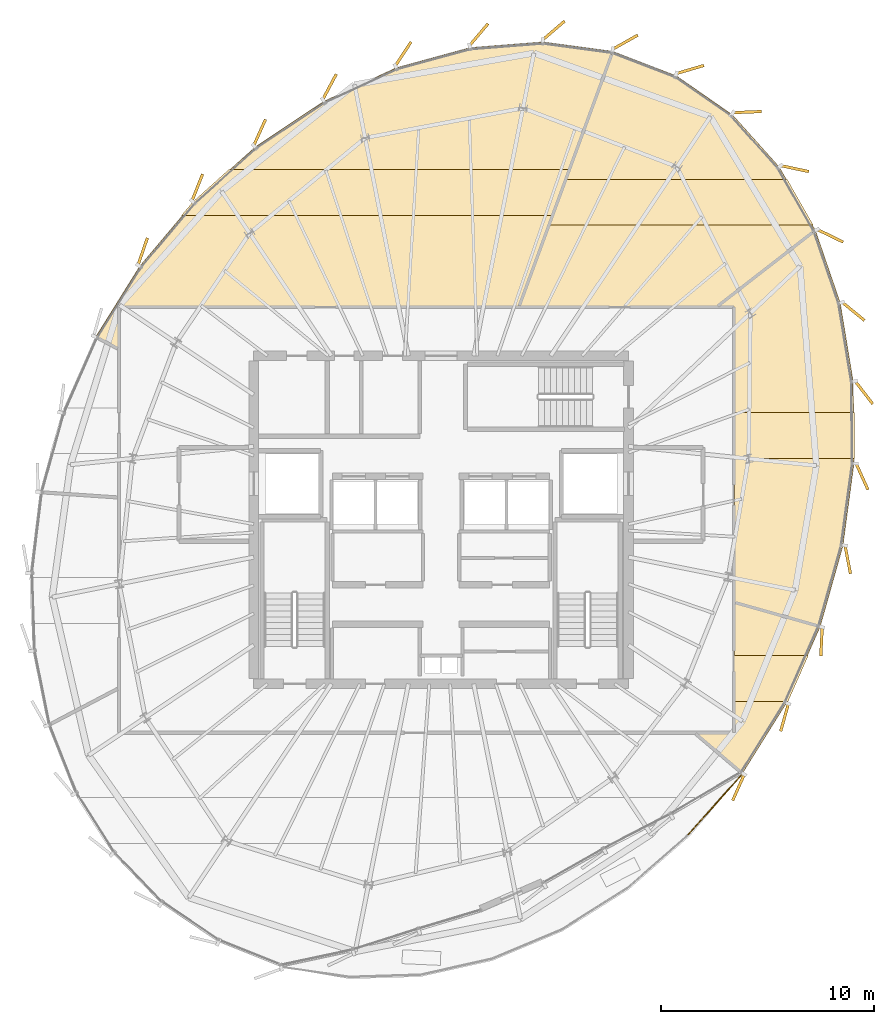
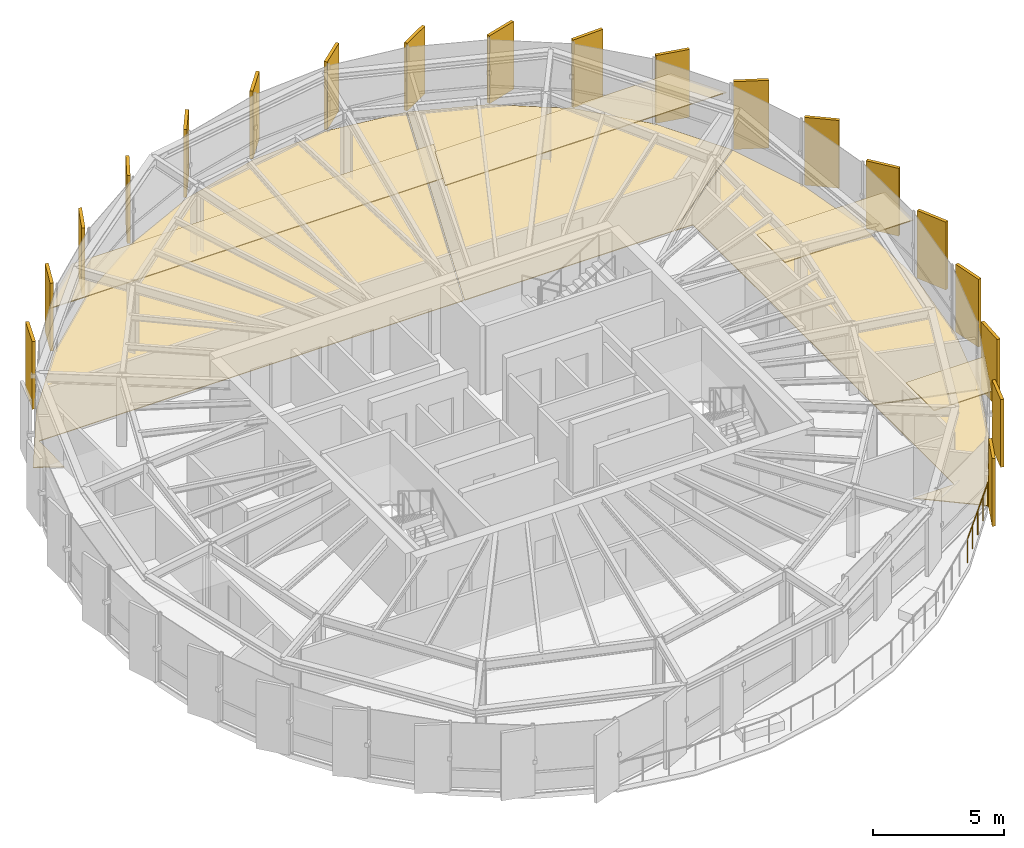
# One storey, part 31 of 31: 27 coverings, 1 railing.
"""IFC4 building model written with IfcOpenShell, lengths in metres."""

from ifc_helpers import new_model, si_unit, direction, frame, origin, origin_2d, place, context, subcontext, project, spatial, polyline, rectangle, circle, outline, extrude, source, transform, mapped, material, layer, layer_set, type_object, element, save


model = new_model("IFC4")

# Units and contexts
model_context = context("Model", 3, precision=1e-05, world=origin(), true_north=direction((0.0, 1.0)))
body_context = subcontext(model_context, "Body", "Model", "MODEL_VIEW")
ifc_project = project(units=[si_unit("LENGTHUNIT", "METRE"), si_unit("AREAUNIT", "SQUARE_METRE"), si_unit("VOLUMEUNIT", "CUBIC_METRE"), si_unit("PLANEANGLEUNIT", "RADIAN"), si_unit("MASSUNIT", "GRAM", prefix="KILO"), si_unit("THERMODYNAMICTEMPERATUREUNIT", "KELVIN")], contexts=[model_context])

# Site, building, storey
site_placement = place(None, origin())
site = spatial("IfcSite", under=ifc_project, at=site_placement, CompositionType="ELEMENT")
building_placement = place(site_placement, origin())
building = spatial("IfcBuilding", under=site, at=building_placement, Name="Kethvar Cultural Tower", CompositionType="ELEMENT")
storey_placement = place(building_placement, frame((0.0, 0.0, 283.60009765625)))
storey = spatial("IfcBuildingStorey", under=building, at=storey_placement, Name="L75", CompositionType="ELEMENT", Elevation=283.60009765625)

# Coverings
ifc_material_1 = material(Name="Acoustic Mineral Fibre Ceiling")
ifc_layer_1 = layer(ifc_material_1, 0.0400390625, Name="Acoustic Mineral Fibre Ceiling")
ifc_layer_set_1 = layer_set([ifc_layer_1], Name="Acoustic Mineral Fibre Ceiling (40 mm)")
covering_type_1 = type_object("IfcCoveringType", Name="CV-ACOUSTIC-CEIL", PredefinedType="CEILING", material=ifc_layer_set_1)
covering_1_placement = place(storey_placement, frame((0.0, 0.0, 2.559814453125)))
element("IfcCovering", 1, at=covering_1_placement, inside=storey, type_object=covering_type_1, Name="L75 Room 02 Acoustic Ceiling Panel", PredefinedType="CEILING", context=body_context, shape_type="SweptSolid", body=[
    extrude(outline(polyline([(60.530029296875, 21.423828125), (64.038330078125, 21.423828125), (63.08935546875, 19.27392578125), (60.530029296875, 19.27392578125), (60.530029296875, 21.423828125)])), origin(), (0.0, 0.0, 1.0), 0.0400390625),
])
covering_2_placement = place(storey_placement, frame((0.0, 0.0, 2.559814453125)))
element("IfcCovering", 2, at=covering_2_placement, inside=storey, type_object=covering_type_1, Name="L75 Room 03 Acoustic Ceiling Panel", PredefinedType="CEILING", context=body_context, shape_type="SweptSolid", body=[
    extrude(outline(polyline([(66.221435546875, 30.68603515625), (60.530029296875, 30.68603515625), (60.530029296875, 32.8359375), (66.199462890625, 32.8359375), (66.221435546875, 30.68603515625)])), origin(), (0.0, 0.0, 1.0), 0.0400390625),
])
covering_3_placement = place(storey_placement, frame((0.0, 0.0, 2.559814453125)))
element("IfcCovering", 3, at=covering_3_placement, inside=storey, type_object=covering_type_1, Name="L75 Room 04 Acoustic Ceiling Panel", PredefinedType="CEILING", context=body_context, shape_type="SweptSolid", body=[
    extrude(outline(polyline([(64.276123046875, 41.637451171875), (51.836669921875, 41.637451171875), (52.62255859375, 43.787353515625), (63.048828125, 43.787353515625), (64.276123046875, 41.637451171875)])), origin(), (0.0, 0.0, 1.0), 0.0400390625),
])
covering_4_placement = place(storey_placement, frame((0.0, 0.0, 2.559814453125)))
element("IfcCovering", 4, at=covering_4_placement, inside=storey, type_object=covering_type_1, Name="L75 Room 05 Acoustic Ceiling Panel", PredefinedType="CEILING", context=body_context, shape_type="SweptSolid", body=[
    extrude(outline(polyline([(35.152587890625, 42.73779296875), (36.833984375, 44.24462890625), (52.832275390625, 44.24462890625), (52.04638671875, 42.094482421875), (34.611328125, 42.094482421875), (35.152587890625, 42.73779296875)])), origin(), (0.0, 0.0, 1.0), 0.0400390625),
])
ifc_material_2 = material(Name="Honed Warm Limestone", Category="masonry")
ifc_layer_2 = layer(ifc_material_2, 0.030029296875, Name="Honed Warm Limestone", Category="masonry")
ifc_layer_set_2 = layer_set([ifc_layer_2], Name="Honed Warm Limestone (30 mm)")
covering_type_2 = type_object("IfcCoveringType", Name="CV-STONE-FLOOR", PredefinedType="FLOORING", material=ifc_layer_set_2)
covering_5_placement = place(storey_placement, origin())
element("IfcCovering", 5, at=covering_5_placement, inside=storey, type_object=covering_type_2, Name="L75 Room 02 Floor Finish", PredefinedType="FLOORING", context=body_context, shape_type="SweptSolid", body=[
    extrude(outline(polyline([(63.018798828125, 19.212646484375), (60.964111328125, 15.9248046875), (58.747802734375, 17.787109375), (60.569091796875, 17.80126953125), (60.570068359375, 23.90478515625), (64.590087890625, 22.7734375), (63.018798828125, 19.212646484375)])), origin(), (0.0, 0.0, 1.0), 0.02978515625),
])
covering_6_placement = place(storey_placement, origin())
element("IfcCovering", 6, at=covering_6_placement, inside=storey, type_object=covering_type_2, Name="L75 Room 03 Floor Finish", PredefinedType="FLOORING", context=body_context, shape_type="SweptSolid", body=[
    extrude(outline(polyline([(65.538818359375, 37.986083984375), (66.14453125, 34.295166015625), (66.183837890625, 30.44677734375), (65.66259765625, 26.572509765625), (64.60400390625, 22.811279296875), (60.570068359375, 23.9462890625), (60.56982421875, 37.794921875), (59.790283203125, 37.81298828125), (64.382080078125, 41.361328125), (65.538818359375, 37.986083984375)])), origin(), (0.0, 0.0, 1.0), 0.02978515625),
])
covering_7_placement = place(storey_placement, origin())
element("IfcCovering", 7, at=covering_7_placement, inside=storey, type_object=covering_type_2, Name="L75 Room 04 Floor Finish", PredefinedType="FLOORING", context=body_context, shape_type="SweptSolid", body=[
    extrude(outline(polyline([(62.671875, 44.3671875), (64.365966796875, 41.3994140625), (59.724853515625, 37.81298828125), (50.481201171875, 37.81298828125), (54.860107421875, 49.79248046875), (57.8388671875, 48.648681640625), (60.47412109375, 46.81787109375), (62.671875, 44.3671875)])), origin(), (0.0, 0.0, 1.0), 0.02978515625),
])
covering_8_placement = place(storey_placement, origin())
element("IfcCovering", 8, at=covering_8_placement, inside=storey, type_object=covering_type_2, Name="L75 Room 05 Floor Finish", PredefinedType="FLOORING", context=body_context, shape_type="SweptSolid", body=[
    extrude(outline(polyline([(32.654541015625, 39.706787109375), (35.18212890625, 42.7109375), (38.09375, 45.319580078125), (41.298583984375, 47.4501953125), (44.69189453125, 49.02392578125), (48.158935546875, 49.97119140625), (51.581298828125, 50.239501953125), (54.821044921875, 49.802001953125), (50.438720703125, 37.81298828125), (31.677978515625, 37.81298828125), (31.659912109375, 35.8388671875), (30.591796875, 36.404296875), (32.654541015625, 39.706787109375)])), origin(), (0.0, 0.0, 1.0), 0.02978515625),
])

# Railing
ifc_material_3 = material(Name="Steel S355J2", Category="steel")
railing_type = type_object("IfcRailingType", Name="RL-EXT-GUARD-1150", PredefinedType="BALUSTRADE", material=ifc_material_3)
railing_placement = place(storey_placement, frame((58.40869140625, 13.0263671875, 0.0)))
element("IfcRailing", 9, at=railing_placement, inside=storey, type_object=railing_type, Name="L75 Spiralling Terrace Balustrade 07", PredefinedType="BALUSTRADE", context=body_context, shape_type="SweptSolid", body=[
    extrude(circle(Radius=0.02392578125, at=origin_2d()), frame((0.0, 0.0, 1.1259765625), z_axis=(0.665899660818, 0.746041313684, 0.0), x_axis=(-0.746041313684, 0.665899660818, 0.0)), (0.0, 0.0, 1.0), 3.844482421875),
    extrude(circle(Radius=0.02099609375, at=origin_2d()), origin(), (0.0, 0.0, 1.0), 1.101806640625),
    extrude(circle(Radius=0.02099609375, at=origin_2d()), frame((0.64013671875, 0.717041015625, 0.0)), (0.0, 0.0, 1.0), 1.101806640625),
    extrude(circle(Radius=0.02099609375, at=origin_2d()), frame((1.280029296875, 1.43408203125, 0.0)), (0.0, 0.0, 1.0), 1.101806640625),
    extrude(circle(Radius=0.02099609375, at=origin_2d()), frame((1.919921875, 2.151123046875, 0.0)), (0.0, 0.0, 1.0), 1.101806640625),
    extrude(circle(Radius=0.02099609375, at=origin_2d()), frame((2.56005859375, 2.8681640625, 0.0)), (0.0, 0.0, 1.0), 1.101806640625),
])

# Coverings
ifc_material_4 = material(Name="Extruded Architectural Terracotta", Category="masonry")
ifc_layer_3 = layer(ifc_material_4, 0.135009765625, Name="Extruded Architectural Terracotta", Category="masonry")
ifc_layer_set_3 = layer_set([ifc_layer_3], Name="Extruded Architectural Terracotta (135 mm)")
covering_type_3 = type_object("IfcCoveringType", Name="Terracotta Facade Fin FIN-03", PredefinedType="CLADDING", material=ifc_layer_set_3)
shared_shape = source(origin(), body_context, "Body", "SweptSolid", [
    extrude(rectangle(XDim=1.35009765625, YDim=0.135009765625, at=origin_2d()), origin(), (0.0, 0.0, 1.0), 3.169921875),
])
for number, where, z_axis, x_axis, name in (
    (10, (58.4912109375, 48.9443359375, 0.02001953125), (0.0, 0.0, 1.0), (0.959461676674, 0.281839122541, 0.0), "L75 Vertical Terracotta Fin 1.1"),
    (11, (55.447265625, 50.22900390625, 0.02001953125), (0.0, 0.0, 1.0), (0.871385115776, 0.490599612724, 0.0), "L75 Vertical Terracotta Fin 1.2"),
    (12, (52.088134765625, 50.7783203125, 0.02001953125), (0.0, 0.0, 1.0), (0.759498424128, 0.650509141939, 0.0), "L75 Vertical Terracotta Fin 1.3"),
    (13, (48.5712890625, 50.582763671875, 0.02001953125), (0.0, 0.0, 1.0), (0.647055961569, 0.762442511011, 0.0), "L75 Vertical Terracotta Fin 1.4"),
    (14, (45.02197265625, 49.6796875, 0.02001953125), (0.0, 0.0, 1.0), (0.548731032748, 0.835998955561, 0.0), "L75 Vertical Terracotta Fin 1.5"),
    (15, (41.562255859375, 48.130126953125, 0.02001953125), (0.0, 0.0, 1.0), (0.470395925757, 0.882455479348, 0.0), "L75 Vertical Terracotta Fin 1.6"),
    (16, (38.27978515625, 45.986083984375, 0.02001953125), (0.0, 0.0, 1.0), (0.412468552072, 0.910971840153, 0.0), "L75 Vertical Terracotta Fin 2.1"),
    (17, (35.354248046875, 43.404296875, 0.02001953125), (0.0, 0.0, 1.0), (0.366988341962, 0.930225540858, 0.0), "L75 Vertical Terracotta Fin 2.2"),
    (18, (32.791015625, 40.39892578125, 0.02001953125), (0.0, 0.0, 1.0), (0.3265581205, 0.945177123049, 0.0), "L75 Vertical Terracotta Fin 2.3"),
    (19, (60.76220703125, 15.235595703125, 0.02001953125), (0.0, 0.0, 1.0), (-0.406736643076, -0.913545457643, 0.0), "L75 Vertical Terracotta Fin 5.4"),
    (20, (62.92578125, 18.521484375, 0.02001953125), (0.0, 0.0, 1.0), (-0.272448181614, -0.962170457006, 0.0), "L75 Vertical Terracotta Fin 5.5"),
    (21, (64.66162109375, 22.090576171875, 0.02001953125), (0.0, 0.0, 1.0), (-0.049024093608, -0.998797596236, 0.0), "L75 Vertical Terracotta Fin 5.6"),
    (22, (65.894287109375, 25.930419921875, 0.02001953125), (0.0, 0.0, 1.0), (0.189438199716, -0.981892646112, 0.0), "L75 Vertical Terracotta Fin 6.1"),
    (23, (66.5625, 29.83154296875, 0.02001953125), (0.0, 0.0, 1.0), (0.41294547925, -0.91075574726, 0.0), "L75 Vertical Terracotta Fin 6.2"),
    (24, (66.655517578125, 33.775146484375, 0.02001953125), (0.0, 0.0, 1.0), (0.610421687982, -0.79207661425, 0.0), "L75 Vertical Terracotta Fin 6.3"),
    (25, (66.156494140625, 37.58984375, 0.02001953125), (0.0, 0.0, 1.0), (0.774282204376, -0.632840475939, 0.0), "L75 Vertical Terracotta Fin 6.4"),
    (26, (65.068603515625, 41.13916015625, 0.02001953125), (0.0, 0.0, 1.0), (0.899634001548, -0.436644779265, 0.0), "L75 Vertical Terracotta Fin 6.5"),
    (27, (63.407958984375, 44.291748046875, 0.02001953125), (0.0, 0.0, 1.0), (0.978074966272, -0.208253116068, 0.0), "L75 Vertical Terracotta Fin 6.6"),
    (28, (61.177978515625, 46.94580078125, 0.02001953125), (0.0, 0.0, 1.0), (0.999208342878, 0.039783005453, 0.0), "L75 Vertical Terracotta Fin 7.1"),
):
    element("IfcCovering", number, at=place(storey_placement, frame(where, z_axis=z_axis, x_axis=x_axis)), inside=storey, type_object=covering_type_3, Name=name, PredefinedType="CLADDING", context=body_context, shape_type="MappedRepresentation", body=[
        mapped(shared_shape, transform((0.0, 0.0, 0.0), scale=1.0)),
    ])

save(model, "model.ifc")
